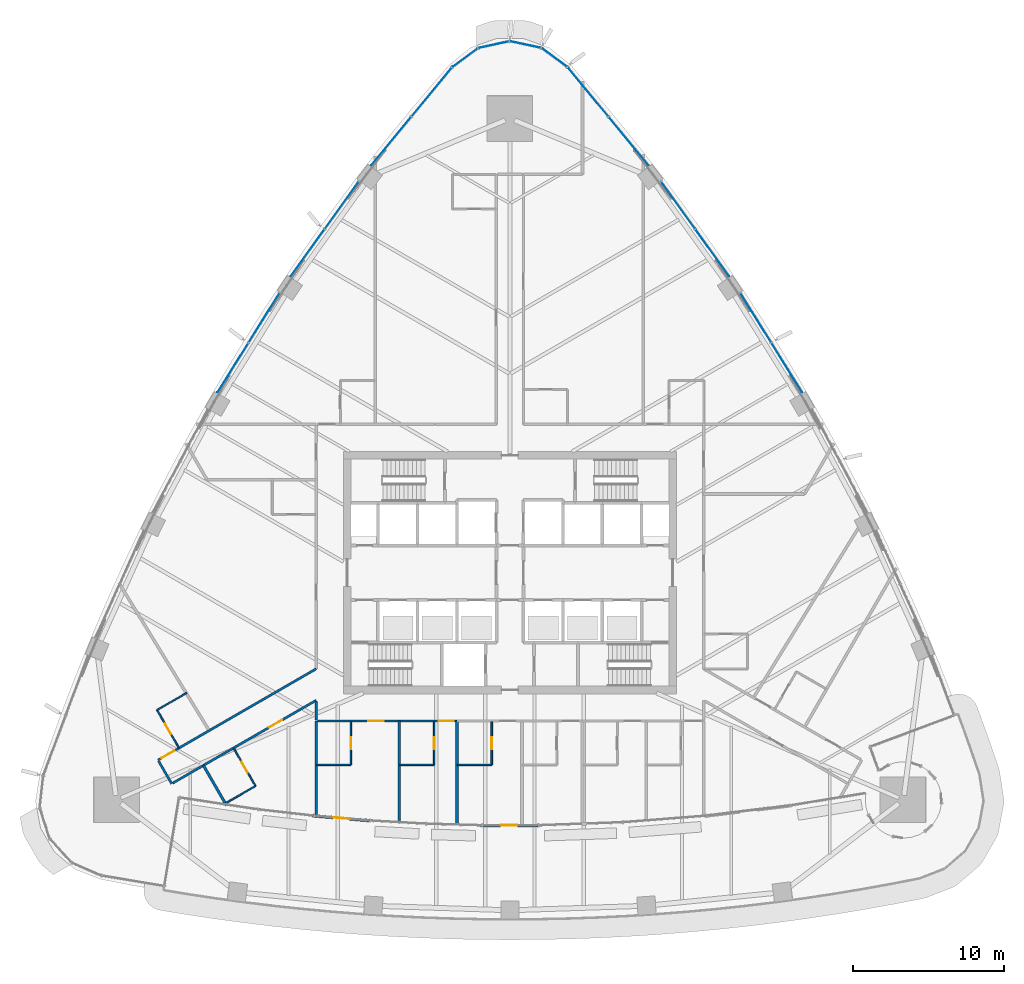
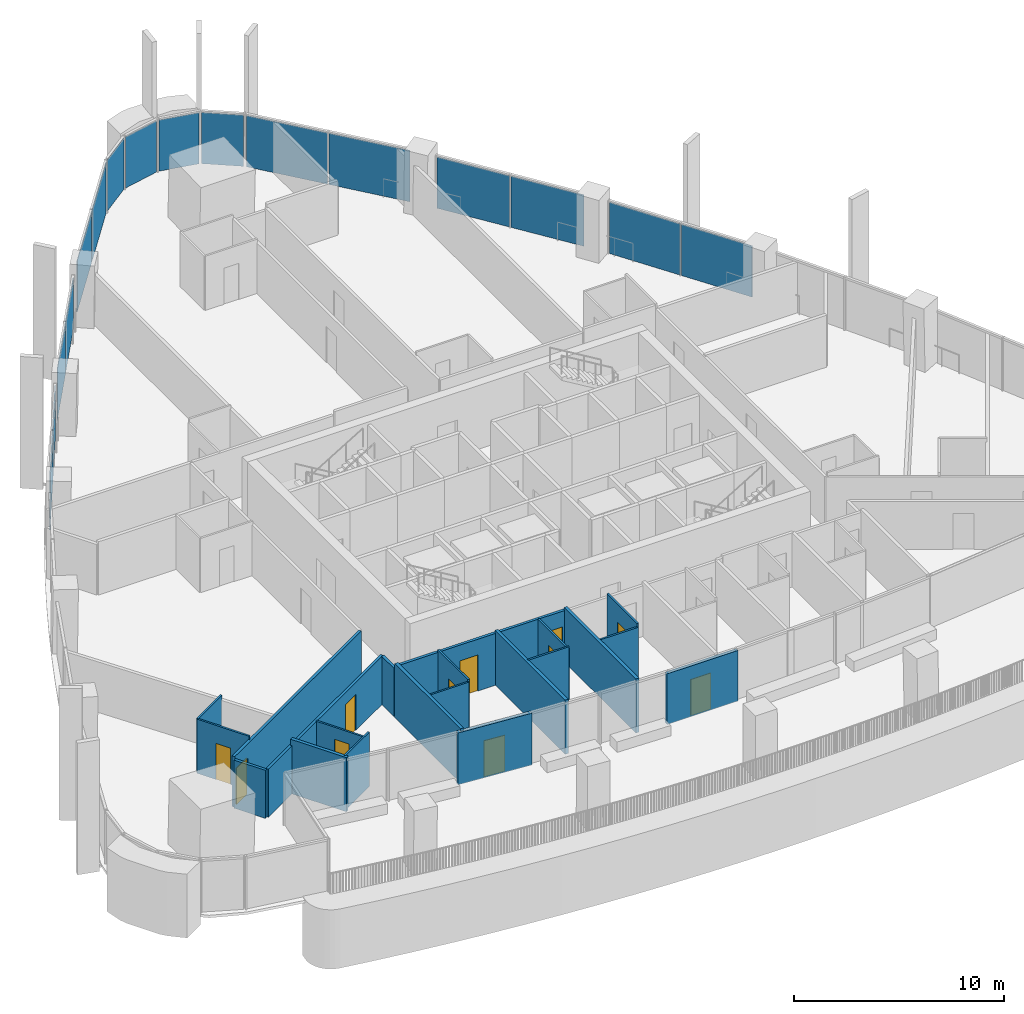
# One storey, part 10 of 25: 21 walls, 16 plates, 11 doors, 11 openings, 10 elements without a shape of their own.
"""IFC4 building model written with IfcOpenShell, lengths in metres."""

from ifc_helpers import new_model, si_unit, direction, frame, frame_2d, origin, origin_2d, place, context, subcontext, project, spatial, rectangle, extrude, material, layer, layer_set, type_object, element, fill, aggregate, save


model = new_model("IFC4")

# Units and contexts
model_context = context("Model", 3, precision=1e-05, world=origin(), true_north=direction((0.0, 1.0)))
body_context = subcontext(model_context, "Body", "Model", "MODEL_VIEW")
ifc_project = project(units=[si_unit("LENGTHUNIT", "METRE"), si_unit("AREAUNIT", "SQUARE_METRE"), si_unit("VOLUMEUNIT", "CUBIC_METRE"), si_unit("PLANEANGLEUNIT", "RADIAN"), si_unit("MASSUNIT", "GRAM", prefix="KILO")], contexts=[model_context])

# Site, building, storey
site_placement = place(None, origin())
site = spatial("IfcSite", under=ifc_project, at=site_placement, CompositionType="ELEMENT")
building_placement = place(site_placement, origin())
building = spatial("IfcBuilding", under=site, at=building_placement, Name="Sierra Prisma Convention Tower", CompositionType="ELEMENT")
storey_placement = place(building_placement, frame((0.0, 0.0, 88.699951171875)))
storey = spatial("IfcBuildingStorey", under=building, at=storey_placement, Name="L18", CompositionType="ELEMENT", Elevation=88.699951171875)

# Curtain wall, plates
ifc_material_1 = material(Name="Aluminium and glass curtain wall", Category="aluminium")
ifc_layer_1 = layer(ifc_material_1, 0.179931640625)
ifc_layer_set_1 = layer_set([ifc_layer_1], Name="CW-1 Plain shaft curtain wall")
curtain_wall_type = type_object("IfcCurtainWallType", Name="CW-1 Plain shaft curtain wall", PredefinedType="NOTDEFINED", material=ifc_layer_set_1)
curtain_wall_1_placement = place(storey_placement, origin())
curtain_wall_1 = element("IfcCurtainWall", 1, at=curtain_wall_1_placement, inside=storey, type_object=curtain_wall_type, Name="CW-1 NE4 L18", PredefinedType="NOTDEFINED")
ifc_material_2 = material(Name="Tinted glass bronze-grey IGU", Category="glass")
ifc_layer_2 = layer(ifc_material_2, 0.028076171875)
ifc_layer_set_2 = layer_set([ifc_layer_2], Name="CW-1 glass panel")
plate_type = type_object("IfcPlateType", Name="CW-1 glass panel", PredefinedType="CURTAIN_PANEL", material=ifc_layer_set_2)
plate_1_placement = place(storey_placement, frame((18.296875, 13.54052734375, 0.0), z_axis=(0.0, 0.0, 1.0), x_axis=(-0.528479345319, 0.848946159407, 0.0)))
plate_1 = element("IfcPlate", 2, at=plate_1_placement, type_object=plate_type, Name="CW-1 panel NE4.1", PredefinedType="CURTAIN_PANEL", context=body_context, shape_type="SweptSolid", body=[
    extrude(rectangle(XDim=3.81884765625, YDim=0.028076171875, at=origin_2d()), origin(), (0.0, 0.0, 1.0), 2.97998046875),
])
plate_2_placement = place(storey_placement, frame((16.24169921875, 16.841796875, 0.0), z_axis=(0.0, 0.0, 1.0), x_axis=(-0.528479345319, 0.848946159407, 0.0)))
plate_2 = element("IfcPlate", 3, at=plate_2_placement, type_object=plate_type, Name="CW-1 panel NE4.2", PredefinedType="CURTAIN_PANEL", context=body_context, shape_type="SweptSolid", body=[
    extrude(rectangle(XDim=3.81884765625, YDim=0.028076171875, at=origin_2d()), origin(), (0.0, 0.0, 1.0), 2.97998046875),
])
aggregate(curtain_wall_1, [plate_1, plate_2])

curtain_wall_2_placement = place(storey_placement, origin())
curtain_wall_2 = element("IfcCurtainWall", 4, at=curtain_wall_2_placement, inside=storey, type_object=curtain_wall_type, Name="CW-1 NE5 L18", PredefinedType="NOTDEFINED")
plate_3_placement = place(storey_placement, frame((13.370849609375, 21.13037109375, 0.0), z_axis=(0.0, 0.0, 1.0), x_axis=(-0.583658892991, 0.811998951128, 0.0)))
plate_3 = element("IfcPlate", 5, at=plate_3_placement, type_object=plate_type, Name="CW-1 panel NE5.1", PredefinedType="CURTAIN_PANEL", context=body_context, shape_type="SweptSolid", body=[
    extrude(rectangle(XDim=3.80322265625, YDim=0.028076171875, at=origin_2d()), origin(), (0.0, 0.0, 1.0), 2.97998046875),
])
plate_4_placement = place(storey_placement, frame((11.1103515625, 24.275634765625, 0.0), z_axis=(0.0, 0.0, 1.0), x_axis=(-0.583658892991, 0.811998951128, 0.0)))
plate_4 = element("IfcPlate", 6, at=plate_4_placement, type_object=plate_type, Name="CW-1 panel NE5.2", PredefinedType="CURTAIN_PANEL", context=body_context, shape_type="SweptSolid", body=[
    extrude(rectangle(XDim=3.80322265625, YDim=0.028076171875, at=origin_2d()), origin(), (0.0, 0.0, 1.0), 2.97998046875),
])
aggregate(curtain_wall_2, [plate_3, plate_4])

curtain_wall_3_placement = place(storey_placement, origin())
curtain_wall_3 = element("IfcCurtainWall", 7, at=curtain_wall_3_placement, inside=storey, type_object=curtain_wall_type, Name="CW-1 NE6 L18", PredefinedType="NOTDEFINED")
plate_5_placement = place(storey_placement, frame((7.84521484375, 28.507080078125, 0.0), z_axis=(0.0, 0.0, 1.0), x_axis=(-0.636264575754, 0.771470925985, 0.0)))
plate_5 = element("IfcPlate", 8, at=plate_5_placement, type_object=plate_type, Name="CW-1 panel NE6.1", PredefinedType="CURTAIN_PANEL", context=body_context, shape_type="SweptSolid", body=[
    extrude(rectangle(XDim=4.125, YDim=0.028076171875, at=origin_2d()), origin(), (0.0, 0.0, 1.0), 2.97998046875),
])
plate_6_placement = place(storey_placement, frame((5.176025390625, 31.74365234375, 0.0), z_axis=(0.0, 0.0, 1.0), x_axis=(-0.636264575754, 0.771470925985, 0.0)))
plate_6 = element("IfcPlate", 9, at=plate_6_placement, type_object=plate_type, Name="CW-1 panel NE6.2", PredefinedType="CURTAIN_PANEL", context=body_context, shape_type="SweptSolid", body=[
    extrude(rectangle(XDim=4.125, YDim=0.028076171875, at=origin_2d()), origin(), (0.0, 0.0, 1.0), 2.97998046875),
])
aggregate(curtain_wall_3, [plate_5, plate_6])

# Curtain wall, plate
curtain_wall_4_placement = place(storey_placement, origin())
curtain_wall_4 = element("IfcCurtainWall", 10, at=curtain_wall_4_placement, inside=storey, type_object=curtain_wall_type, Name="CW-1 N1 L18", PredefinedType="NOTDEFINED")
plate_7_placement = place(storey_placement, frame((2.957275390625, 34.025146484375, 0.0), z_axis=(0.0, 0.0, 1.0), x_axis=(-0.804504766979, 0.593946192772, 0.0)))
plate_7 = element("IfcPlate", 11, at=plate_7_placement, type_object=plate_type, Name="CW-1 panel N1.1", PredefinedType="CURTAIN_PANEL", context=body_context, shape_type="SweptSolid", body=[
    extrude(rectangle(XDim=2.003173828125, YDim=0.028076171875, at=origin_2d()), origin(), (0.0, 0.0, 1.0), 2.97998046875),
])
aggregate(curtain_wall_4, [plate_7])

curtain_wall_5_placement = place(storey_placement, origin())
curtain_wall_5 = element("IfcCurtainWall", 12, at=curtain_wall_5_placement, inside=storey, type_object=curtain_wall_type, Name="CW-1 N2 L18", PredefinedType="NOTDEFINED")
plate_8_placement = place(storey_placement, frame((1.047607421875, 34.886962890625, 0.0), z_axis=(0.0, 0.0, 1.0), x_axis=(-0.977615186062, 0.210400922005, 0.0)))
plate_8 = element("IfcPlate", 13, at=plate_8_placement, type_object=plate_type, Name="CW-1 panel N2.1", PredefinedType="CURTAIN_PANEL", context=body_context, shape_type="SweptSolid", body=[
    extrude(rectangle(XDim=2.003173828125, YDim=0.028076171875, at=origin_2d()), origin(), (0.0, 0.0, 1.0), 2.97998046875),
])
aggregate(curtain_wall_5, [plate_8])

curtain_wall_6_placement = place(storey_placement, origin())
curtain_wall_6 = element("IfcCurtainWall", 14, at=curtain_wall_6_placement, inside=storey, type_object=curtain_wall_type, Name="CW-1 N3 L18", PredefinedType="NOTDEFINED")
plate_9_placement = place(storey_placement, frame((-1.047607421875, 34.886962890625, 0.0), z_axis=(0.0, 0.0, 1.0), x_axis=(-0.977615186062, -0.210400922005, 0.0)))
plate_9 = element("IfcPlate", 15, at=plate_9_placement, type_object=plate_type, Name="CW-1 panel N3.1", PredefinedType="CURTAIN_PANEL", context=body_context, shape_type="SweptSolid", body=[
    extrude(rectangle(XDim=2.003173828125, YDim=0.028076171875, at=origin_2d()), origin(), (0.0, 0.0, 1.0), 2.97998046875),
])
aggregate(curtain_wall_6, [plate_9])

curtain_wall_7_placement = place(storey_placement, origin())
curtain_wall_7 = element("IfcCurtainWall", 16, at=curtain_wall_7_placement, inside=storey, type_object=curtain_wall_type, Name="CW-1 N4 L18", PredefinedType="NOTDEFINED")
plate_10_placement = place(storey_placement, frame((-2.957275390625, 34.025146484375, 0.0), z_axis=(0.0, 0.0, 1.0), x_axis=(-0.804504766979, -0.593946192772, 0.0)))
plate_10 = element("IfcPlate", 17, at=plate_10_placement, type_object=plate_type, Name="CW-1 panel N4.1", PredefinedType="CURTAIN_PANEL", context=body_context, shape_type="SweptSolid", body=[
    extrude(rectangle(XDim=2.003173828125, YDim=0.028076171875, at=origin_2d()), origin(), (0.0, 0.0, 1.0), 2.97998046875),
])
aggregate(curtain_wall_7, [plate_10])

# Curtain wall, plates
curtain_wall_8_placement = place(storey_placement, origin())
curtain_wall_8 = element("IfcCurtainWall", 18, at=curtain_wall_8_placement, inside=storey, type_object=curtain_wall_type, Name="CW-1 NW1 L18", PredefinedType="NOTDEFINED")
plate_11_placement = place(storey_placement, frame((-5.176025390625, 31.74365234375, 0.0), z_axis=(0.0, 0.0, 1.0), x_axis=(-0.636264575754, -0.771470925985, 0.0)))
plate_11 = element("IfcPlate", 19, at=plate_11_placement, type_object=plate_type, Name="CW-1 panel NW1.1", PredefinedType="CURTAIN_PANEL", context=body_context, shape_type="SweptSolid", body=[
    extrude(rectangle(XDim=4.125, YDim=0.028076171875, at=origin_2d()), origin(), (0.0, 0.0, 1.0), 2.97998046875),
])
plate_12_placement = place(storey_placement, frame((-7.84521484375, 28.507080078125, 0.0), z_axis=(0.0, 0.0, 1.0), x_axis=(-0.636264575754, -0.771470925985, 0.0)))
plate_12 = element("IfcPlate", 20, at=plate_12_placement, type_object=plate_type, Name="CW-1 panel NW1.2", PredefinedType="CURTAIN_PANEL", context=body_context, shape_type="SweptSolid", body=[
    extrude(rectangle(XDim=4.125, YDim=0.028076171875, at=origin_2d()), origin(), (0.0, 0.0, 1.0), 2.97998046875),
])
aggregate(curtain_wall_8, [plate_11, plate_12])

curtain_wall_9_placement = place(storey_placement, origin())
curtain_wall_9 = element("IfcCurtainWall", 21, at=curtain_wall_9_placement, inside=storey, type_object=curtain_wall_type, Name="CW-1 NW2 L18", PredefinedType="NOTDEFINED")
plate_13_placement = place(storey_placement, frame((-11.111083984375, 24.2744140625, 0.0), z_axis=(0.0, 0.0, 1.0), x_axis=(-0.583658892991, -0.811998951128, 0.0)))
plate_13 = element("IfcPlate", 22, at=plate_13_placement, type_object=plate_type, Name="CW-1 panel NW2.1", PredefinedType="CURTAIN_PANEL", context=body_context, shape_type="SweptSolid", body=[
    extrude(rectangle(XDim=3.802490234375, YDim=0.028076171875, at=origin_2d()), origin(), (0.0, 0.0, 1.0), 2.97998046875),
])
plate_14_placement = place(storey_placement, frame((-13.37109375, 21.130126953125, 0.0), z_axis=(0.0, 0.0, 1.0), x_axis=(-0.583658892991, -0.811998951128, 0.0)))
plate_14 = element("IfcPlate", 23, at=plate_14_placement, type_object=plate_type, Name="CW-1 panel NW2.2", PredefinedType="CURTAIN_PANEL", context=body_context, shape_type="SweptSolid", body=[
    extrude(rectangle(XDim=3.802490234375, YDim=0.028076171875, at=origin_2d()), origin(), (0.0, 0.0, 1.0), 2.97998046875),
])
aggregate(curtain_wall_9, [plate_13, plate_14])

curtain_wall_10_placement = place(storey_placement, origin())
curtain_wall_10 = element("IfcCurtainWall", 24, at=curtain_wall_10_placement, inside=storey, type_object=curtain_wall_type, Name="CW-1 NW3 L18", PredefinedType="NOTDEFINED")
plate_15_placement = place(storey_placement, frame((-16.241943359375, 16.841552734375, 0.0), z_axis=(0.0, 0.0, 1.0), x_axis=(-0.528479345319, -0.848946159407, 0.0)))
plate_15 = element("IfcPlate", 25, at=plate_15_placement, type_object=plate_type, Name="CW-1 panel NW3.1", PredefinedType="CURTAIN_PANEL", context=body_context, shape_type="SweptSolid", body=[
    extrude(rectangle(XDim=3.818603515625, YDim=0.028076171875, at=origin_2d()), origin(), (0.0, 0.0, 1.0), 2.97998046875),
])
plate_16_placement = place(storey_placement, frame((-18.296875, 13.54052734375, 0.0), z_axis=(0.0, 0.0, 1.0), x_axis=(-0.528479345319, -0.848946159407, 0.0)))
plate_16 = element("IfcPlate", 26, at=plate_16_placement, type_object=plate_type, Name="CW-1 panel NW3.2", PredefinedType="CURTAIN_PANEL", context=body_context, shape_type="SweptSolid", body=[
    extrude(rectangle(XDim=3.818603515625, YDim=0.028076171875, at=origin_2d()), origin(), (0.0, 0.0, 1.0), 2.97998046875),
])
aggregate(curtain_wall_10, [plate_15, plate_16])

# Wall, opening, door
ifc_material_3 = material(Name="Gypsum board partition", Category="gypsum")
ifc_layer_3 = layer(ifc_material_3, 0.10009765625)
ifc_layer_set_3 = layer_set([ifc_layer_3], Name="Bathroom partition 100")
wall_type_1 = type_object("IfcWallType", Name="Bathroom partition 100", PredefinedType="PARTITIONING", material=ifc_layer_set_3)
wall_1_placement = place(storey_placement, frame((-21.872802734375, -11.554443359375, 0.0), z_axis=(0.0, 0.0, 1.0), x_axis=(-0.499999802827, 0.866025517622, 0.0)))
wall_1 = element("IfcWall", 27, at=wall_1_placement, inside=storey, type_object=wall_type_1, Name="Partition L18 bath 1", PredefinedType="PARTITIONING", context=body_context, shape_type="SweptSolid", body=[
    extrude(rectangle(XDim=2.8701171875, YDim=0.10009765625, at=frame_2d((1.43505859375, 0.0))), origin(), (0.0, 0.0, 1.0), 3.150146484375),
])
opening_1_placement = place(wall_1_placement, frame((1.034912109375, 0.0, 0.0)))
opening_1 = element("IfcOpeningElement", 28, at=opening_1_placement, cuts=wall_1, Name="Opening L18-D010", PredefinedType="OPENING", context=body_context, shape_type="SweptSolid", body=[
    extrude(rectangle(XDim=0.800048828125, YDim=2.10009765625, at=frame_2d((0.39990234375, 1.050048828125))), frame((0.0, 0.050048828125, 0.0), z_axis=(0.0, -1.0, 0.0), x_axis=(1.0, 0.0, 0.0)), (0.0, 0.0, 1.0), 0.10009765625),
])
ifc_material_4 = material(Name="Solid core timber door leaf", Category="wood")
door_type_1 = type_object("IfcDoorType", Name="Door 800x2100 plain", OperationType="SINGLE_SWING_LEFT", PredefinedType="DOOR", material=ifc_material_4)
door_1_placement = place(opening_1_placement, origin())
door_1 = element("IfcDoor", 29, at=door_1_placement, inside=storey, type_object=door_type_1, Name="Door L18 16", OperationType="SINGLE_SWING_RIGHT", OverallHeight=2.10009765625, OverallWidth=0.800048828125, PredefinedType="DOOR", context=body_context, shape_type="SweptSolid", body=[
    extrude(rectangle(XDim=0.800048828125, YDim=2.10009765625, at=frame_2d((0.39990234375, 1.050048828125))), frame((0.0, 0.02490234375, 0.0), z_axis=(0.0, -1.0, 0.0), x_axis=(1.0, 0.0, 0.0)), (0.0, 0.0, 1.0), 0.050048828125),
])
fill(opening_1, door_1)

# Wall
wall_2_placement = place(storey_placement, frame((-23.307861328125, -9.06884765625, 0.0), z_axis=(0.0, 0.0, 1.0), x_axis=(0.866017224141, 0.500014167291, 0.0)))
element("IfcWall", 30, at=wall_2_placement, inside=storey, type_object=wall_type_1, Name="Partition L18 bath 2", PredefinedType="PARTITIONING", context=body_context, shape_type="SweptSolid", body=[
    extrude(rectangle(XDim=2.27001953125, YDim=0.10009765625, at=frame_2d((1.135009765625, 0.0))), origin(), (0.0, 0.0, 1.0), 3.150146484375),
])

# Wall, opening, door
wall_3_placement = place(storey_placement, frame((-18.240966796875, -11.605224609375, 0.0), z_axis=(0.0, 0.0, 1.0), x_axis=(0.499999802827, -0.866025517622, 0.0)))
wall_3 = element("IfcWall", 31, at=wall_3_placement, inside=storey, type_object=wall_type_1, Name="Partition L18 bath 3", PredefinedType="PARTITIONING", context=body_context, shape_type="SweptSolid", body=[
    extrude(rectangle(XDim=2.8701171875, YDim=0.10009765625, at=frame_2d((1.43505859375, 0.0))), origin(), (0.0, 0.0, 1.0), 2.797119140625),
])
opening_2_placement = place(wall_3_placement, frame((1.034912109375, 0.0, 0.0)))
opening_2 = element("IfcOpeningElement", 32, at=opening_2_placement, cuts=wall_3, Name="Opening L18-D011", PredefinedType="OPENING", context=body_context, shape_type="SweptSolid", body=[
    extrude(rectangle(XDim=0.800048828125, YDim=2.10009765625, at=frame_2d((0.39990234375, 1.050048828125))), frame((0.0, 0.050048828125, 0.0), z_axis=(0.0, -1.0, 0.0), x_axis=(1.0, 0.0, 0.0)), (0.0, 0.0, 1.0), 0.10009765625),
])
door_2_placement = place(opening_2_placement, origin())
door_2 = element("IfcDoor", 33, at=door_2_placement, inside=storey, type_object=door_type_1, Name="Door L18 18", OperationType="SINGLE_SWING_RIGHT", OverallHeight=2.10009765625, OverallWidth=0.800048828125, PredefinedType="DOOR", context=body_context, shape_type="SweptSolid", body=[
    extrude(rectangle(XDim=0.800048828125, YDim=2.10009765625, at=frame_2d((0.39990234375, 1.050048828125))), frame((0.0, 0.02490234375, 0.0), z_axis=(0.0, -1.0, 0.0), x_axis=(1.0, 0.0, 0.0)), (0.0, 0.0, 1.0), 0.050048828125),
])
fill(opening_2, door_2)

# Wall
wall_4_placement = place(storey_placement, frame((-16.805908203125, -14.0908203125, 0.0), z_axis=(0.0, 0.0, 1.0), x_axis=(-0.866017224141, -0.500014167291, 0.0)))
element("IfcWall", 34, at=wall_4_placement, inside=storey, type_object=wall_type_1, Name="Partition L18 bath 4", PredefinedType="PARTITIONING", context=body_context, shape_type="SweptSolid", body=[
    extrude(rectangle(XDim=2.27001953125, YDim=0.10009765625, at=frame_2d((1.135009765625, 0.0))), origin(), (0.0, 0.0, 1.0), 3.150146484375),
])

# Wall, opening, door
wall_5_placement = place(storey_placement, frame((-10.5, -9.830078125, 0.0), z_axis=(0.0, 0.0, 1.0), x_axis=(0.0, -1.0, 0.0)))
wall_5 = element("IfcWall", 35, at=wall_5_placement, inside=storey, type_object=wall_type_1, Name="Partition L18 bath 7", PredefinedType="PARTITIONING", context=body_context, shape_type="SweptSolid", body=[
    extrude(rectangle(XDim=2.869873046875, YDim=0.10009765625, at=frame_2d((1.43505859375, 0.0))), origin(), (0.0, 0.0, 1.0), 3.150146484375),
])
opening_3_placement = place(wall_5_placement, frame((1.034912109375, 0.0, 0.0)))
opening_3 = element("IfcOpeningElement", 36, at=opening_3_placement, cuts=wall_5, Name="Opening L18-D012", PredefinedType="OPENING", context=body_context, shape_type="SweptSolid", body=[
    extrude(rectangle(XDim=0.800048828125, YDim=2.10009765625, at=frame_2d((0.39990234375, 1.050048828125))), frame((0.0, 0.050048828125, 0.0), z_axis=(0.0, -1.0, 0.0), x_axis=(1.0, 0.0, 0.0)), (0.0, 0.0, 1.0), 0.10009765625),
])
door_3_placement = place(opening_3_placement, origin())
door_3 = element("IfcDoor", 37, at=door_3_placement, inside=storey, type_object=door_type_1, Name="Door L18 20", OperationType="SINGLE_SWING_RIGHT", OverallHeight=2.10009765625, OverallWidth=0.800048828125, PredefinedType="DOOR", context=body_context, shape_type="SweptSolid", body=[
    extrude(rectangle(XDim=0.800048828125, YDim=2.10009765625, at=frame_2d((0.39990234375, 1.050048828125))), frame((0.0, 0.02490234375, 0.0), z_axis=(0.0, -1.0, 0.0), x_axis=(1.0, 0.0, 0.0)), (0.0, 0.0, 1.0), 0.050048828125),
])
fill(opening_3, door_3)

# Wall
wall_6_placement = place(storey_placement, frame((-10.5, -12.699951171875, 0.0), z_axis=(0.0, 0.0, 1.0), x_axis=(-1.0, 0.0, 0.0)))
element("IfcWall", 38, at=wall_6_placement, inside=storey, type_object=wall_type_1, Name="Partition L18 bath 8", PredefinedType="PARTITIONING", context=body_context, shape_type="SweptSolid", body=[
    extrude(rectangle(XDim=2.27001953125, YDim=0.10009765625, at=frame_2d((1.135009765625, 0.0))), origin(), (0.0, 0.0, 1.0), 3.01708984375),
])

# Wall, opening, door
wall_7_placement = place(storey_placement, frame((-5.0, -9.830078125, 0.0), z_axis=(0.0, 0.0, 1.0), x_axis=(0.0, -1.0, 0.0)))
wall_7 = element("IfcWall", 39, at=wall_7_placement, inside=storey, type_object=wall_type_1, Name="Partition L18 bath 11", PredefinedType="PARTITIONING", context=body_context, shape_type="SweptSolid", body=[
    extrude(rectangle(XDim=2.869873046875, YDim=0.10009765625, at=frame_2d((1.43505859375, 0.0))), origin(), (0.0, 0.0, 1.0), 3.01708984375),
])
opening_4_placement = place(wall_7_placement, frame((1.034912109375, 0.0, 0.0)))
opening_4 = element("IfcOpeningElement", 40, at=opening_4_placement, cuts=wall_7, Name="Opening L18-D013", PredefinedType="OPENING", context=body_context, shape_type="SweptSolid", body=[
    extrude(rectangle(XDim=0.800048828125, YDim=2.10009765625, at=frame_2d((0.39990234375, 1.050048828125))), frame((0.0, 0.050048828125, 0.0), z_axis=(0.0, -1.0, 0.0), x_axis=(1.0, 0.0, 0.0)), (0.0, 0.0, 1.0), 0.10009765625),
])
door_4_placement = place(opening_4_placement, origin())
door_4 = element("IfcDoor", 41, at=door_4_placement, inside=storey, type_object=door_type_1, Name="Door L18 22", OperationType="SINGLE_SWING_RIGHT", OverallHeight=2.10009765625, OverallWidth=0.800048828125, PredefinedType="DOOR", context=body_context, shape_type="SweptSolid", body=[
    extrude(rectangle(XDim=0.800048828125, YDim=2.10009765625, at=frame_2d((0.39990234375, 1.050048828125))), frame((0.0, 0.02490234375, 0.0), z_axis=(0.0, -1.0, 0.0), x_axis=(1.0, 0.0, 0.0)), (0.0, 0.0, 1.0), 0.050048828125),
])
fill(opening_4, door_4)

# Wall
wall_8_placement = place(storey_placement, frame((-5.0, -12.699951171875, 0.0), z_axis=(0.0, 0.0, 1.0), x_axis=(-1.0, 0.0, 0.0)))
element("IfcWall", 42, at=wall_8_placement, inside=storey, type_object=wall_type_1, Name="Partition L18 bath 12", PredefinedType="PARTITIONING", context=body_context, shape_type="SweptSolid", body=[
    extrude(rectangle(XDim=2.27001953125, YDim=0.10009765625, at=frame_2d((1.135009765625, 0.0))), origin(), (0.0, 0.0, 1.0), 3.150146484375),
])

# Wall, opening, door
wall_9_placement = place(storey_placement, frame((-1.199951171875, -9.830078125, 0.0), z_axis=(0.0, 0.0, 1.0), x_axis=(0.0, -1.0, 0.0)))
wall_9 = element("IfcWall", 43, at=wall_9_placement, inside=storey, type_object=wall_type_1, Name="Partition L18 bath 13", PredefinedType="PARTITIONING", context=body_context, shape_type="SweptSolid", body=[
    extrude(rectangle(XDim=2.869873046875, YDim=0.10009765625, at=frame_2d((1.43505859375, 0.0))), origin(), (0.0, 0.0, 1.0), 3.150146484375),
])
opening_5_placement = place(wall_9_placement, frame((1.034912109375, 0.0, 0.0)))
opening_5 = element("IfcOpeningElement", 44, at=opening_5_placement, cuts=wall_9, Name="Opening L18-D014", PredefinedType="OPENING", context=body_context, shape_type="SweptSolid", body=[
    extrude(rectangle(XDim=0.800048828125, YDim=2.10009765625, at=frame_2d((0.39990234375, 1.050048828125))), frame((0.0, 0.050048828125, 0.0), z_axis=(0.0, -1.0, 0.0), x_axis=(1.0, 0.0, 0.0)), (0.0, 0.0, 1.0), 0.10009765625),
])
door_5_placement = place(opening_5_placement, origin())
door_5 = element("IfcDoor", 45, at=door_5_placement, inside=storey, type_object=door_type_1, Name="Door L18 24", OperationType="SINGLE_SWING_RIGHT", OverallHeight=2.10009765625, OverallWidth=0.800048828125, PredefinedType="DOOR", context=body_context, shape_type="SweptSolid", body=[
    extrude(rectangle(XDim=0.800048828125, YDim=2.10009765625, at=frame_2d((0.39990234375, 1.050048828125))), frame((0.0, 0.02490234375, 0.0), z_axis=(0.0, -1.0, 0.0), x_axis=(1.0, 0.0, 0.0)), (0.0, 0.0, 1.0), 0.050048828125),
])
fill(opening_5, door_5)

# Wall
wall_10_placement = place(storey_placement, frame((-1.199951171875, -12.699951171875, 0.0), z_axis=(0.0, 0.0, 1.0), x_axis=(-1.0, 0.0, 0.0)))
element("IfcWall", 46, at=wall_10_placement, inside=storey, type_object=wall_type_1, Name="Partition L18 bath 14", PredefinedType="PARTITIONING", context=body_context, shape_type="SweptSolid", body=[
    extrude(rectangle(XDim=2.27001953125, YDim=0.10009765625, at=frame_2d((1.135009765625, 0.0))), origin(), (0.0, 0.0, 1.0), 2.947021484375),
])

# Wall, opening, door
ifc_material_5 = material(Name="Gypsum board partition", Category="gypsum")
ifc_layer_4 = layer(ifc_material_5, 0.14990234375)
ifc_layer_set_4 = layer_set([ifc_layer_4], Name="Corridor wall 150 gypsum EI 60")
wall_type_2 = type_object("IfcWallType", Name="Corridor wall 150 gypsum EI 60", PredefinedType="PARTITIONING", material=ifc_layer_set_4)
wall_11_placement = place(storey_placement, frame((-12.800048828125, -6.350830078125, 0.0), z_axis=(0.0, 0.0, 1.0), x_axis=(-0.86602308164, -0.500004022051, 0.0)))
wall_11 = element("IfcWall", 47, at=wall_11_placement, inside=storey, type_object=wall_type_2, Name="Partition L18 corr 1", PredefinedType="PARTITIONING", context=body_context, shape_type="SweptSolid", body=[
    extrude(rectangle(XDim=12.05908203125, YDim=0.14990234375, at=frame_2d((6.029541015625, 0.0))), origin(), (0.0, 0.0, 1.0), 2.947021484375),
])
opening_6_placement = place(wall_11_placement, frame((10.80908203125, 0.0, 0.0)))
opening_6 = element("IfcOpeningElement", 48, at=opening_6_placement, cuts=wall_11, Name="Opening L18-D049", PredefinedType="OPENING", context=body_context, shape_type="SweptSolid", body=[
    extrude(rectangle(XDim=1.0, YDim=2.10009765625, at=frame_2d((0.5, 1.050048828125))), frame((0.0, 0.074951171875, 0.0), z_axis=(0.0, -1.0, 0.0), x_axis=(1.0, 0.0, 0.0)), (0.0, 0.0, 1.0), 0.14990234375),
])
ifc_material_6 = material(Name="Steel fire door leaf", Category="steel")
door_type_2 = type_object("IfcDoorType", Name="Door 1000x2100 FD30S", OperationType="SINGLE_SWING_LEFT", PredefinedType="DOOR", material=ifc_material_6)
door_6_placement = place(opening_6_placement, origin())
door_6 = element("IfcDoor", 49, at=door_6_placement, inside=storey, type_object=door_type_2, Name="Door L18 15", OperationType="SINGLE_SWING_LEFT", OverallHeight=2.10009765625, OverallWidth=1.0, PredefinedType="DOOR", context=body_context, shape_type="SweptSolid", body=[
    extrude(rectangle(XDim=1.0, YDim=2.10009765625, at=frame_2d((0.5, 1.050048828125))), frame((0.0, 0.02490234375, 0.0), z_axis=(0.0, -1.0, 0.0), x_axis=(1.0, 0.0, 0.0)), (0.0, 0.0, 1.0), 0.050048828125),
])
fill(opening_6, door_6)

# Wall
wall_12_placement = place(storey_placement, frame((-23.20361328125, -12.44970703125, 0.0), z_axis=(0.0, 0.0, 1.0), x_axis=(0.500062383118, -0.865989383878, 0.0)))
element("IfcWall", 50, at=wall_12_placement, inside=storey, type_object=wall_type_2, Name="Partition L18 corr 2", PredefinedType="PARTITIONING", context=body_context, shape_type="SweptSolid", body=[
    extrude(rectangle(XDim=1.719970703125, YDim=0.14990234375, at=frame_2d((0.85986328125, 0.0))), origin(), (0.0, 0.0, 1.0), 2.797119140625),
])

# Wall, opening, door
wall_13_placement = place(storey_placement, frame((-22.274169921875, -13.8994140625, 0.0), z_axis=(0.0, 0.0, 1.0), x_axis=(0.866012401956, 0.500022519152, 0.0)))
wall_13 = element("IfcWall", 51, at=wall_13_placement, inside=storey, type_object=wall_type_2, Name="Partition L18 corr 3", PredefinedType="PARTITIONING", context=body_context, shape_type="SweptSolid", body=[
    extrude(rectangle(XDim=10.93994140625, YDim=0.14990234375, at=frame_2d((5.469970703125, 0.0))), origin(), (0.0, 0.0, 1.0), 2.797119140625),
])
opening_7_placement = place(wall_13_placement, frame((7.33984375, 0.0, 0.0)))
opening_7 = element("IfcOpeningElement", 52, at=opening_7_placement, cuts=wall_13, Name="Opening L18-D050", PredefinedType="OPENING", context=body_context, shape_type="SweptSolid", body=[
    extrude(rectangle(XDim=1.0, YDim=2.10009765625, at=frame_2d((0.5, 1.050048828125))), frame((0.0, 0.074951171875, 0.0), z_axis=(0.0, -1.0, 0.0), x_axis=(1.0, 0.0, 0.0)), (0.0, 0.0, 1.0), 0.14990234375),
])
door_7_placement = place(opening_7_placement, origin())
door_7 = element("IfcDoor", 53, at=door_7_placement, inside=storey, type_object=door_type_2, Name="Door L18 17", OperationType="SINGLE_SWING_LEFT", OverallHeight=2.10009765625, OverallWidth=1.0, PredefinedType="DOOR", context=body_context, shape_type="SweptSolid", body=[
    extrude(rectangle(XDim=1.0, YDim=2.10009765625, at=frame_2d((0.5, 1.050048828125))), frame((0.0, 0.02490234375, 0.0), z_axis=(0.0, -1.0, 0.0), x_axis=(1.0, 0.0, 0.0)), (0.0, 0.0, 1.0), 0.050048828125),
])
fill(opening_7, door_7)

# Wall
wall_14_placement = place(storey_placement, frame((-12.800048828125, -8.52099609375, 0.0), z_axis=(0.0, 0.0, 1.0), x_axis=(0.0, -1.0, 0.0)))
element("IfcWall", 54, at=wall_14_placement, inside=storey, type_object=wall_type_2, Name="Partition L18 corr 4", PredefinedType="PARTITIONING", context=body_context, shape_type="SweptSolid", body=[
    extrude(rectangle(XDim=1.198974609375, YDim=0.14990234375, at=frame_2d((0.599609375, 0.0))), origin(), (0.0, 0.0, 1.0), 2.797119140625),
])

# Wall, openings, doors
wall_15_placement = place(storey_placement, frame((-12.719970703125, -9.800048828125, 0.0), z_axis=(0.0, 0.0, 1.0), x_axis=(1.0, 0.0, 0.0)))
wall_15 = element("IfcWall", 55, at=wall_15_placement, inside=storey, type_object=wall_type_2, Name="Partition L18 corr 6", PredefinedType="PARTITIONING", context=body_context, shape_type="SweptSolid", body=[
    extrude(rectangle(XDim=9.219970703125, YDim=0.14990234375, at=frame_2d((4.60986328125, 0.0))), origin(), (0.0, 0.0, 1.0), 3.01708984375),
])
opening_8_placement = place(wall_15_placement, frame((3.3701171875, 0.0, 0.0)))
opening_8 = element("IfcOpeningElement", 56, at=opening_8_placement, cuts=wall_15, Name="Opening L18-D051", PredefinedType="OPENING", context=body_context, shape_type="SweptSolid", body=[
    extrude(rectangle(XDim=1.0, YDim=2.10009765625, at=frame_2d((0.5, 1.050048828125))), frame((0.0, 0.074951171875, 0.0), z_axis=(0.0, -1.0, 0.0), x_axis=(1.0, 0.0, 0.0)), (0.0, 0.0, 1.0), 0.14990234375),
])
opening_9_placement = place(wall_15_placement, frame((8.02001953125, 0.0, 0.0)))
opening_9 = element("IfcOpeningElement", 57, at=opening_9_placement, cuts=wall_15, Name="Opening L18-D052", PredefinedType="OPENING", context=body_context, shape_type="SweptSolid", body=[
    extrude(rectangle(XDim=1.0, YDim=2.10009765625, at=frame_2d((0.5, 1.050048828125))), frame((0.0, 0.074951171875, 0.0), z_axis=(0.0, -1.0, 0.0), x_axis=(1.0, 0.0, 0.0)), (0.0, 0.0, 1.0), 0.14990234375),
])
door_8_placement = place(opening_8_placement, origin())
door_8 = element("IfcDoor", 58, at=door_8_placement, inside=storey, type_object=door_type_2, Name="Door L18 19", OperationType="SINGLE_SWING_LEFT", OverallHeight=2.10009765625, OverallWidth=1.0, PredefinedType="DOOR", context=body_context, shape_type="SweptSolid", body=[
    extrude(rectangle(XDim=1.0, YDim=2.10009765625, at=frame_2d((0.5, 1.050048828125))), frame((0.0, 0.02490234375, 0.0), z_axis=(0.0, -1.0, 0.0), x_axis=(1.0, 0.0, 0.0)), (0.0, 0.0, 1.0), 0.050048828125),
])
fill(opening_8, door_8)
door_9_placement = place(opening_9_placement, origin())
door_9 = element("IfcDoor", 59, at=door_9_placement, inside=storey, type_object=door_type_2, Name="Door L18 21", OperationType="SINGLE_SWING_LEFT", OverallHeight=2.10009765625, OverallWidth=1.0, PredefinedType="DOOR", context=body_context, shape_type="SweptSolid", body=[
    extrude(rectangle(XDim=1.0, YDim=2.10009765625, at=frame_2d((0.5, 1.050048828125))), frame((0.0, 0.02490234375, 0.0), z_axis=(0.0, -1.0, 0.0), x_axis=(1.0, 0.0, 0.0)), (0.0, 0.0, 1.0), 0.050048828125),
])
fill(opening_9, door_9)

# Walls
ifc_material_7 = material(Name="Acoustic gypsum board partition", Category="gypsum")
ifc_layer_5 = layer(ifc_material_7, 0.175048828125)
ifc_layer_set_5 = layer_set([ifc_layer_5], Name="Guest room party wall 175 acoustic EI 60")
wall_type_3 = type_object("IfcWallType", Name="Guest room party wall 175 acoustic EI 60", PredefinedType="PARTITIONING", material=ifc_layer_set_5)
wall_16_placement = place(storey_placement, frame((-20.247802734375, -12.729248046875, 0.0), z_axis=(0.0, 0.0, 1.0), x_axis=(0.499957248001, -0.866050085256, 0.0)))
element("IfcWall", 60, at=wall_16_placement, inside=storey, type_object=wall_type_3, Name="Partition L18 hparty 5", PredefinedType="PARTITIONING", context=body_context, shape_type="SweptSolid", body=[
    extrude(rectangle(XDim=3.060302734375, YDim=0.175048828125, at=frame_2d((1.5302734375, 0.0))), origin(), (0.0, 0.0, 1.0), 3.150146484375),
])
wall_17_placement = place(storey_placement, frame((-12.800048828125, -9.800048828125, 0.0), z_axis=(0.0, 0.0, 1.0), x_axis=(0.0, -1.0, 0.0)))
element("IfcWall", 61, at=wall_17_placement, inside=storey, type_object=wall_type_3, Name="Partition L18 hparty 6", PredefinedType="PARTITIONING", context=body_context, shape_type="SweptSolid", body=[
    extrude(rectangle(XDim=6.2705078125, YDim=0.175048828125, at=frame_2d((3.13525390625, 0.0))), origin(), (0.0, 0.0, 1.0), 3.150146484375),
])
wall_18_placement = place(storey_placement, frame((-7.300048828125, -9.800048828125, 0.0), z_axis=(0.0, 0.0, 1.0), x_axis=(0.0, -1.0, 0.0)))
element("IfcWall", 62, at=wall_18_placement, inside=storey, type_object=wall_type_3, Name="Partition L18 hparty 8", PredefinedType="PARTITIONING", context=body_context, shape_type="SweptSolid", body=[
    extrude(rectangle(XDim=6.696044921875, YDim=0.175048828125, at=frame_2d((3.34814453125, 0.0))), origin(), (0.0, 0.0, 1.0), 3.150146484375),
])
wall_19_placement = place(storey_placement, frame((-3.5, -9.800048828125, 0.0), z_axis=(0.0, 0.0, 1.0), x_axis=(0.0, -1.0, 0.0)))
element("IfcWall", 63, at=wall_19_placement, inside=storey, type_object=wall_type_3, Name="Partition L18 hparty 9", PredefinedType="PARTITIONING", context=body_context, shape_type="SweptSolid", body=[
    extrude(rectangle(XDim=6.85302734375, YDim=0.175048828125, at=frame_2d((3.426513671875, 0.0))), origin(), (0.0, 0.0, 1.0), 3.150146484375),
])

# Wall, opening, door
ifc_material_8 = material(Name="Precast concrete C40/50", Category="concrete")
ifc_layer_6 = layer(ifc_material_8, 0.199951171875)
ifc_layer_set_6 = layer_set([ifc_layer_6], Name="Terrace door pier")
wall_type_4 = type_object("IfcWallType", Name="Terrace door pier", PredefinedType="SOLIDWALL", material=ifc_layer_set_6)
wall_20_placement = place(storey_placement, frame((-13.063232421875, -16.046875, 0.0), z_axis=(0.0, 0.0, 1.0), x_axis=(0.996355943682, -0.085292634444, 0.0)))
wall_20 = element("IfcWall", 64, at=wall_20_placement, inside=storey, type_object=wall_type_4, Name="Terrace door bay L18.3", PredefinedType="SOLIDWALL", context=body_context, shape_type="SweptSolid", body=[
    extrude(rectangle(XDim=3.892822265625, YDim=0.199951171875, at=frame_2d((1.9462890625, 0.0))), origin(), (0.0, 0.0, 1.0), 3.01708984375),
])
opening_10_placement = place(wall_20_placement, frame((1.396484375, 0.0, 0.0)))
opening_10 = element("IfcOpeningElement", 65, at=opening_10_placement, cuts=wall_20, Name="Opening L18-D001", PredefinedType="OPENING", context=body_context, shape_type="SweptSolid", body=[
    extrude(rectangle(XDim=1.10009765625, YDim=2.10009765625, at=frame_2d((0.550048828125, 1.050048828125))), frame((0.0, 0.10009765625, 0.0), z_axis=(0.0, -1.0, 0.0), x_axis=(1.0, 0.0, 0.0)), (0.0, 0.0, 1.0), 0.199951171875),
])
ifc_material_9 = material(Name="Bronze anodised aluminium and glass", Category="aluminium")
door_type_3 = type_object("IfcDoorType", Name="Terrace door 1100 x 2100", OperationType="SINGLE_SWING_LEFT", PredefinedType="DOOR", material=ifc_material_9)
door_10_placement = place(opening_10_placement, origin())
door_10 = element("IfcDoor", 66, at=door_10_placement, inside=storey, type_object=door_type_3, Name="Terrace door L18.3", OperationType="SINGLE_SWING_RIGHT", OverallHeight=2.10009765625, OverallWidth=1.10009765625, PredefinedType="DOOR", context=body_context, shape_type="SweptSolid", body=[
    extrude(rectangle(XDim=1.10009765625, YDim=2.10009765625, at=frame_2d((0.550048828125, 1.050048828125))), frame((0.0, 0.02490234375, 0.0), z_axis=(0.0, -1.0, 0.0), x_axis=(1.0, 0.0, 0.0)), (0.0, 0.0, 1.0), 0.050048828125),
])
fill(opening_10, door_10)

wall_21_placement = place(storey_placement, frame((-1.9462890625, -16.68798828125, 0.0), z_axis=(0.0, 0.0, 1.0), x_axis=(1.0, 0.0, 0.0)))
wall_21 = element("IfcWall", 67, at=wall_21_placement, inside=storey, type_object=wall_type_4, Name="Terrace door bay L18.6", PredefinedType="SOLIDWALL", context=body_context, shape_type="SweptSolid", body=[
    extrude(rectangle(XDim=3.892578125, YDim=0.199951171875, at=frame_2d((1.9462890625, 0.0))), origin(), (0.0, 0.0, 1.0), 2.947021484375),
])
opening_11_placement = place(wall_21_placement, frame((1.34033203125, 0.0, 0.0)))
opening_11 = element("IfcOpeningElement", 68, at=opening_11_placement, cuts=wall_21, Name="Opening L18-D002", PredefinedType="OPENING", context=body_context, shape_type="SweptSolid", body=[
    extrude(rectangle(XDim=1.10009765625, YDim=2.10009765625, at=frame_2d((0.550048828125, 1.050048828125))), frame((0.0, 0.10009765625, 0.0), z_axis=(0.0, -1.0, 0.0), x_axis=(1.0, 0.0, 0.0)), (0.0, 0.0, 1.0), 0.199951171875),
])
door_11_placement = place(opening_11_placement, origin())
door_11 = element("IfcDoor", 69, at=door_11_placement, inside=storey, type_object=door_type_3, Name="Terrace door L18.6", OperationType="SINGLE_SWING_LEFT", OverallHeight=2.10009765625, OverallWidth=1.10009765625, PredefinedType="DOOR", context=body_context, shape_type="SweptSolid", body=[
    extrude(rectangle(XDim=1.10009765625, YDim=2.10009765625, at=frame_2d((0.550048828125, 1.050048828125))), frame((0.0, 0.02490234375, 0.0), z_axis=(0.0, -1.0, 0.0), x_axis=(1.0, 0.0, 0.0)), (0.0, 0.0, 1.0), 0.050048828125),
])
fill(opening_11, door_11)

save(model, "model.ifc")
